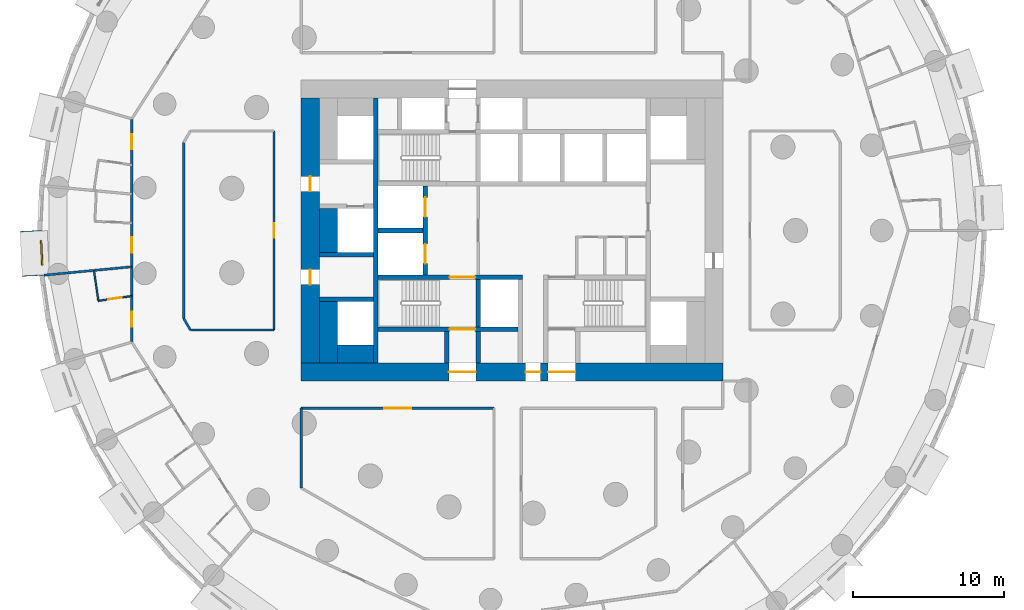
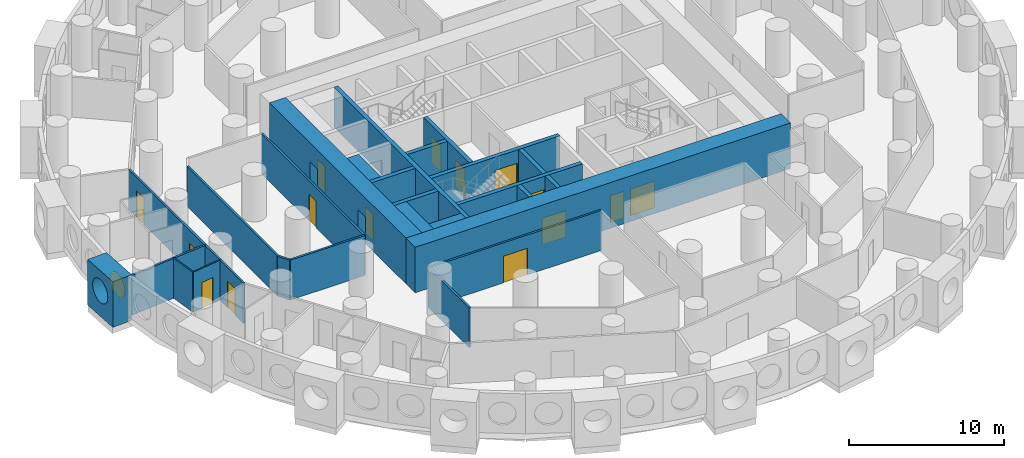
# One storey, part 4 of 12: 26 walls, 15 doors, 1 window, 16 openings.
"""IFC4 building model written with IfcOpenShell, lengths in metres."""

from ifc_helpers import new_model, si_unit, direction, frame, frame_2d, origin, origin_2d, place, context, subcontext, project, spatial, rectangle, circle, extrude, material, layer, layer_set, type_object, element, fill, save


model = new_model("IFC4")

# Units and contexts
model_context = context("Model", 3, precision=1e-05, world=origin(), true_north=direction((0.0, 1.0)))
body_context = subcontext(model_context, "Body", "Model", "MODEL_VIEW")
ifc_project = project(units=[si_unit("LENGTHUNIT", "METRE"), si_unit("AREAUNIT", "SQUARE_METRE"), si_unit("VOLUMEUNIT", "CUBIC_METRE"), si_unit("PLANEANGLEUNIT", "RADIAN"), si_unit("MASSUNIT", "GRAM", prefix="KILO")], contexts=[model_context])

# Site, building, storey
site_placement = place(None, origin())
site = spatial("IfcSite", under=ifc_project, at=site_placement, CompositionType="ELEMENT")
building_placement = place(site_placement, origin())
building = spatial("IfcBuilding", under=site, at=building_placement, Name="Tracery Tower", CompositionType="ELEMENT")
storey_placement = place(building_placement, frame((0.0, 0.0, 28.199951171875)))
storey = spatial("IfcBuildingStorey", under=building, at=storey_placement, Name="L05", CompositionType="ELEMENT", Elevation=28.199951171875)

# Walls
ifc_material_1 = material(Name="Concrete C60/75", Category="concrete")
ifc_layer_1 = layer(ifc_material_1, 1.199951171875)
ifc_layer_set_1 = layer_set([ifc_layer_1], Name="Core strip wall 1200 C60")
wall_type_1 = type_object("IfcWallType", Name="Core strip wall 1200 C60", PredefinedType="SOLIDWALL", material=ifc_layer_set_1)
wall_1_placement = place(storey_placement, frame((-12.199951171875, -8.800048828125, 0.0), z_axis=(0.0, 0.0, 1.0), x_axis=(0.0, 1.0, 0.0)))
element("IfcWall", 1, at=wall_1_placement, inside=storey, type_object=wall_type_1, Name="L05 wing strip -1 -9.4", PredefinedType="SOLIDWALL", context=body_context, shape_type="SweptSolid", body=[
    extrude(rectangle(XDim=4.10009765625, YDim=1.199951171875, at=frame_2d((2.050048828125, 0.0))), origin(), (0.0, 0.0, 1.0), 3.150146484375),
])
wall_2_placement = place(storey_placement, frame((-12.199951171875, -1.449951171875, 0.0), z_axis=(0.0, 0.0, 1.0), x_axis=(0.0, 1.0, 0.0)))
element("IfcWall", 2, at=wall_2_placement, inside=storey, type_object=wall_type_1, Name="L05 wing strip -1 -1.6", PredefinedType="SOLIDWALL", context=body_context, shape_type="SweptSolid", body=[
    extrude(rectangle(XDim=2.89990234375, YDim=1.199951171875, at=frame_2d((1.449951171875, 0.0))), origin(), (0.0, 0.0, 1.0), 3.150146484375),
])
wall_3_placement = place(storey_placement, frame((-11.60009765625, -8.199951171875, 0.0), z_axis=(0.0, 0.0, 1.0), x_axis=(1.0, 0.0, 0.0)))
element("IfcWall", 3, at=wall_3_placement, inside=storey, type_object=wall_type_1, Name="L05 wing corner -1 -8.2", PredefinedType="SOLIDWALL", context=body_context, shape_type="SweptSolid", body=[
    extrude(rectangle(XDim=2.400146484375, YDim=1.199951171875, at=frame_2d((1.2001953125, 0.0))), origin(), (0.0, 0.0, 1.0), 3.150146484375),
])

# Wall, openings, doors
ifc_material_2 = material(Name="Concrete C60/75", Category="concrete")
ifc_layer_2 = layer(ifc_material_2, 1.199951171875)
ifc_layer_set_2 = layer_set([ifc_layer_2], Name="Core wall 1200 C60")
wall_type_2 = type_object("IfcWallType", Name="Core wall 1200 C60", PredefinedType="SOLIDWALL", material=ifc_layer_set_2)
wall_4_placement = place(storey_placement, frame((-14.0, -9.39990234375, 0.0), z_axis=(0.0, 0.0, 1.0), x_axis=(1.0, 0.0, 0.0)))
wall_4 = element("IfcWall", 4, at=wall_4_placement, inside=storey, type_object=wall_type_2, Name="L05 outer S", PredefinedType="SOLIDWALL", context=body_context, shape_type="SweptSolid", body=[
    extrude(rectangle(XDim=28.0, YDim=1.199951171875, at=frame_2d((14.0, 0.0))), origin(), (0.0, 0.0, 1.0), 3.60009765625),
])
opening_1_placement = place(wall_4_placement, frame((14.89990234375, 0.0, 0.0)))
opening_1 = element("IfcOpeningElement", 5, at=opening_1_placement, cuts=wall_4, Name="Opening KD16", PredefinedType="OPENING", context=body_context, shape_type="SweptSolid", body=[
    extrude(rectangle(XDim=1.0, YDim=2.10009765625, at=frame_2d((0.5, 1.050048828125))), frame((0.0, 0.60009765625, 0.0), z_axis=(0.0, -1.0, 0.0), x_axis=(1.0, 0.0, 0.0)), (0.0, 0.0, 1.0), 1.199951171875),
])
opening_2_placement = place(wall_4_placement, frame((9.800048828125, 0.0, 0.0)))
opening_2 = element("IfcOpeningElement", 6, at=opening_2_placement, cuts=wall_4, Name="Opening KD13", PredefinedType="OPENING", context=body_context, shape_type="SweptSolid", body=[
    extrude(rectangle(XDim=1.800048828125, YDim=2.10009765625, at=frame_2d((0.89990234375, 1.050048828125))), frame((0.0, 0.60009765625, 0.0), z_axis=(0.0, -1.0, 0.0), x_axis=(1.0, 0.0, 0.0)), (0.0, 0.0, 1.0), 1.199951171875),
])
opening_3_placement = place(wall_4_placement, frame((16.39990234375, 0.0, 0.0)))
opening_3 = element("IfcOpeningElement", 7, at=opening_3_placement, cuts=wall_4, Name="Opening KD13", PredefinedType="OPENING", context=body_context, shape_type="SweptSolid", body=[
    extrude(rectangle(XDim=1.800048828125, YDim=2.10009765625, at=frame_2d((0.89990234375, 1.050048828125))), frame((0.0, 0.60009765625, 0.0), z_axis=(0.0, -1.0, 0.0), x_axis=(1.0, 0.0, 0.0)), (0.0, 0.0, 1.0), 1.199951171875),
])
ifc_material_3 = material(Name="Steel fire door", Category="steel")
door_type_1 = type_object("IfcDoorType", Name="Core exit door 1000", OperationType="NOTDEFINED", PredefinedType="DOOR", material=ifc_material_3)
door_1_placement = place(opening_1_placement, origin())
door_1 = element("IfcDoor", 8, at=door_1_placement, inside=storey, type_object=door_type_1, Name="Core exit door", OperationType="SINGLE_SWING_LEFT", OverallHeight=2.10009765625, OverallWidth=1.0, PredefinedType="DOOR", context=body_context, shape_type="SweptSolid", body=[
    extrude(rectangle(XDim=1.0, YDim=2.10009765625, at=frame_2d((0.5, 1.050048828125))), frame((0.0, 0.02490234375, 0.0), z_axis=(0.0, -1.0, 0.0), x_axis=(1.0, 0.0, 0.0)), (0.0, 0.0, 1.0), 0.050048828125),
])
fill(opening_1, door_1)
ifc_material_4 = material(Name="Steel fire door", Category="steel")
door_type_2 = type_object("IfcDoorType", Name="Core exit door 1800 double", OperationType="NOTDEFINED", PredefinedType="DOOR", material=ifc_material_4)
door_2_placement = place(opening_2_placement, origin())
door_2 = element("IfcDoor", 9, at=door_2_placement, inside=storey, type_object=door_type_2, Name="Core exit door", OperationType="DOUBLE_DOOR_SINGLE_SWING", OverallHeight=2.10009765625, OverallWidth=1.800048828125, PredefinedType="DOOR", context=body_context, shape_type="SweptSolid", body=[
    extrude(rectangle(XDim=1.800048828125, YDim=2.10009765625, at=frame_2d((0.89990234375, 1.050048828125))), frame((0.0, 0.02490234375, 0.0), z_axis=(0.0, -1.0, 0.0), x_axis=(1.0, 0.0, 0.0)), (0.0, 0.0, 1.0), 0.050048828125),
])
fill(opening_2, door_2)
door_3_placement = place(opening_3_placement, origin())
door_3 = element("IfcDoor", 10, at=door_3_placement, inside=storey, type_object=door_type_2, Name="Core exit door", OperationType="DOUBLE_DOOR_SINGLE_SWING", OverallHeight=2.10009765625, OverallWidth=1.800048828125, PredefinedType="DOOR", context=body_context, shape_type="SweptSolid", body=[
    extrude(rectangle(XDim=1.800048828125, YDim=2.10009765625, at=frame_2d((0.89990234375, 1.050048828125))), frame((0.0, 0.02490234375, 0.0), z_axis=(0.0, -1.0, 0.0), x_axis=(1.0, 0.0, 0.0)), (0.0, 0.0, 1.0), 0.050048828125),
])
fill(opening_3, door_3)

wall_5_placement = place(storey_placement, frame((-13.39990234375, -8.800048828125, 0.0), z_axis=(0.0, 0.0, 1.0), x_axis=(0.0, 1.0, 0.0)))
wall_5 = element("IfcWall", 11, at=wall_5_placement, inside=storey, type_object=wall_type_2, Name="L05 outer W", PredefinedType="SOLIDWALL", context=body_context, shape_type="SweptSolid", body=[
    extrude(rectangle(XDim=17.60009765625, YDim=1.199951171875, at=frame_2d((8.800048828125, 0.0))), origin(), (0.0, 0.0, 1.0), 3.60009765625),
])
opening_4_placement = place(wall_5_placement, frame((5.199951171875, 0.0, 0.0)))
opening_4 = element("IfcOpeningElement", 12, at=opening_4_placement, cuts=wall_5, Name="Opening KD18", PredefinedType="OPENING", context=body_context, shape_type="SweptSolid", body=[
    extrude(rectangle(XDim=1.0, YDim=2.10009765625, at=frame_2d((0.5, 1.050048828125))), frame((0.0, 0.60009765625, 0.0), z_axis=(0.0, -1.0, 0.0), x_axis=(1.0, 0.0, 0.0)), (0.0, 0.0, 1.0), 1.199951171875),
])
opening_5_placement = place(wall_5_placement, frame((11.39990234375, 0.0, 0.0)))
opening_5 = element("IfcOpeningElement", 13, at=opening_5_placement, cuts=wall_5, Name="Opening KD18", PredefinedType="OPENING", context=body_context, shape_type="SweptSolid", body=[
    extrude(rectangle(XDim=1.0, YDim=2.10009765625, at=frame_2d((0.5, 1.050048828125))), frame((0.0, 0.60009765625, 0.0), z_axis=(0.0, -1.0, 0.0), x_axis=(1.0, 0.0, 0.0)), (0.0, 0.0, 1.0), 1.199951171875),
])
door_4_placement = place(opening_4_placement, origin())
door_4 = element("IfcDoor", 14, at=door_4_placement, inside=storey, type_object=door_type_1, Name="Core exit door", OperationType="DOUBLE_DOOR_SINGLE_SWING", OverallHeight=2.10009765625, OverallWidth=1.0, PredefinedType="DOOR", context=body_context, shape_type="SweptSolid", body=[
    extrude(rectangle(XDim=1.0, YDim=2.10009765625, at=frame_2d((0.5, 1.050048828125))), frame((0.0, 0.02490234375, 0.0), z_axis=(0.0, -1.0, 0.0), x_axis=(1.0, 0.0, 0.0)), (0.0, 0.0, 1.0), 0.050048828125),
])
fill(opening_4, door_4)
door_5_placement = place(opening_5_placement, origin())
door_5 = element("IfcDoor", 15, at=door_5_placement, inside=storey, type_object=door_type_1, Name="Core exit door", OperationType="DOUBLE_DOOR_SINGLE_SWING", OverallHeight=2.10009765625, OverallWidth=1.0, PredefinedType="DOOR", context=body_context, shape_type="SweptSolid", body=[
    extrude(rectangle(XDim=1.0, YDim=2.10009765625, at=frame_2d((0.5, 1.050048828125))), frame((0.0, 0.02490234375, 0.0), z_axis=(0.0, -1.0, 0.0), x_axis=(1.0, 0.0, 0.0)), (0.0, 0.0, 1.0), 0.050048828125),
])
fill(opening_5, door_5)

# Wall, opening, window
ifc_material_5 = material(Name="Precast concrete C50/60", Category="concrete")
ifc_layer_3 = layer(ifc_material_5, 1.449951171875)
ifc_layer_set_3 = layer_set([ifc_layer_3], Name="Deep-set bay unit 3000 x 3600, slab edge 450")
wall_type_3 = type_object("IfcWallType", Name="Deep-set bay unit 3000 x 3600, slab edge 450", PredefinedType="ELEMENTEDWALL", material=ifc_layer_set_3)
wall_6_placement = place(storey_placement, frame((-31.94921875, -0.020263671875, -0.449951171875), z_axis=(0.0, 0.0, 1.0), x_axis=(0.047607680889, -0.998866111509, 0.0)))
wall_6 = element("IfcWall", 16, at=wall_6_placement, inside=storey, type_object=wall_type_3, Name="Deep-set bay unit 34 at L05", PredefinedType="ELEMENTEDWALL", context=body_context, shape_type="SweptSolid", body=[
    extrude(rectangle(XDim=3.0, YDim=1.449951171875, at=frame_2d((1.5, 0.0))), origin(), (0.0, 0.0, 1.0), 3.60009765625),
])
opening_6_placement = place(wall_6_placement, frame((1.5, 0.0, 2.0)))
opening_6 = element("IfcOpeningElement", 17, at=opening_6_placement, cuts=wall_6, Name="Opening WN1", PredefinedType="OPENING", context=body_context, shape_type="SweptSolid", body=[
    extrude(circle(Radius=0.9000244140625, at=origin_2d()), frame((0.0, 0.73486328125, 0.0), z_axis=(0.0, -1.0, 0.0), x_axis=(1.0, 0.0, 0.0)), (0.0, 0.0, 1.0), 1.469970703125),
])
ifc_material_6 = material(Name="Aluminium frame with tinted double glazing", Category="aluminium")
window_type = type_object("IfcWindowType", Name="Round window 1800", PartitioningType="SINGLE_PANEL", PredefinedType="WINDOW", material=ifc_material_6)
window_placement = place(opening_6_placement, origin())
window = element("IfcWindow", 18, at=window_placement, inside=storey, type_object=window_type, Name="Round window 34 at L05", OverallHeight=1.800048828125, OverallWidth=1.800048828125, PartitioningType="SINGLE_PANEL", PredefinedType="WINDOW", context=body_context, shape_type="SweptSolid", body=[
    extrude(circle(Radius=0.9000244140625, at=origin_2d()), frame((0.0, 0.69482421875, 0.0), z_axis=(0.0, -1.0, 0.0), x_axis=(1.0, 0.0, 0.0)), (0.0, 0.0, 1.0), 0.10009765625),
])
fill(opening_6, window)

# Wall
ifc_material_7 = material(Name="Plasterboard on steel studs", Category="steel")
ifc_layer_4 = layer(ifc_material_7, 0.10009765625)
ifc_layer_set_4 = layer_set([ifc_layer_4], Name="Partition 100 wet wall")
wall_type_4 = type_object("IfcWallType", Name="Partition 100 wet wall", PredefinedType="PARTITIONING", material=ifc_layer_set_4)
wall_7_placement = place(storey_placement, frame((-27.761962890625, -2.65087890625, 0.0), z_axis=(0.0, 0.0, 1.0), x_axis=(0.142124766346, -0.989848751472, 0.0)))
element("IfcWall", 19, at=wall_7_placement, inside=storey, type_object=wall_type_4, Name="Wet wall RA1-100", PredefinedType="PARTITIONING", context=body_context, shape_type="SweptSolid", body=[
    extrude(rectangle(XDim=2.040771484375, YDim=0.10009765625, at=frame_2d((1.0205078125, 0.0))), origin(), (0.0, 0.0, 1.0), 3.150146484375),
])

# Wall, opening, door
wall_8_placement = place(storey_placement, frame((-27.471923828125, -4.6708984375, 0.0), z_axis=(0.0, 0.0, 1.0), x_axis=(0.989833725002, 0.142229381104, 0.0)))
wall_8 = element("IfcWall", 20, at=wall_8_placement, inside=storey, type_object=wall_type_4, Name="Wet wall RA1-101", PredefinedType="PARTITIONING", context=body_context, shape_type="SweptSolid", body=[
    extrude(rectangle(XDim=2.24169921875, YDim=0.10009765625, at=frame_2d((1.120849609375, 0.0))), origin(), (0.0, 0.0, 1.0), 3.150146484375),
])
opening_7_placement = place(wall_8_placement, frame((0.6708984375, 0.0, 0.0)))
opening_7 = element("IfcOpeningElement", 21, at=opening_7_placement, cuts=wall_8, Name="Opening RA1-37", PredefinedType="OPENING", context=body_context, shape_type="SweptSolid", body=[
    extrude(rectangle(XDim=0.89990234375, YDim=2.0400390625, at=frame_2d((0.449951171875, 1.02001953125))), frame((0.0, 0.050048828125, 0.0), z_axis=(0.0, -1.0, 0.0), x_axis=(1.0, 0.0, 0.0)), (0.0, 0.0, 1.0), 0.10009765625),
])
ifc_material_8 = material(Name="Timber door leaf", Category="wood")
door_type_3 = type_object("IfcDoorType", Name="Door en-suite 900", OperationType="NOTDEFINED", PredefinedType="DOOR", material=ifc_material_8)
door_6_placement = place(opening_7_placement, origin())
door_6 = element("IfcDoor", 22, at=door_6_placement, inside=storey, type_object=door_type_3, Name="En-suite door RA1-37", OperationType="SINGLE_SWING_RIGHT", OverallHeight=2.0400390625, OverallWidth=0.89990234375, PredefinedType="DOOR", context=body_context, shape_type="SweptSolid", body=[
    extrude(rectangle(XDim=0.89990234375, YDim=2.0400390625, at=frame_2d((0.449951171875, 1.02001953125))), frame((0.0, 0.02490234375, 0.0), z_axis=(0.0, -1.0, 0.0), x_axis=(1.0, 0.0, 0.0)), (0.0, 0.0, 1.0), 0.050048828125),
])
fill(opening_7, door_6)

# Wall
ifc_material_9 = material(Name="Plasterboard on steel studs", Category="steel")
ifc_layer_5 = layer(ifc_material_9, 0.14990234375)
ifc_layer_set_5 = layer_set([ifc_layer_5], Name="Partition 150 acoustic unit wall")
wall_type_5 = type_object("IfcWallType", Name="Partition 150 acoustic unit wall", PredefinedType="PARTITIONING", material=ifc_layer_set_5)
wall_9_placement = place(storey_placement, frame((-31.0830078125, -2.968017578125, 0.0), z_axis=(0.0, 0.0, 1.0), x_axis=(0.995456793999, 0.095214343879, 0.0)))
element("IfcWall", 23, at=wall_9_placement, inside=storey, type_object=wall_type_5, Name="Unit wall RA1-099", PredefinedType="PARTITIONING", context=body_context, shape_type="SweptSolid", body=[
    extrude(rectangle(XDim=5.8564453125, YDim=0.14990234375, at=frame_2d((2.92822265625, 0.0))), origin(), (0.0, 0.0, 1.0), 3.150146484375),
])

# Wall, opening, door
ifc_material_10 = material(Name="Plasterboard on steel studs", Category="steel")
ifc_layer_6 = layer(ifc_material_10, 0.14990234375)
ifc_layer_set_6 = layer_set([ifc_layer_6], Name="Partition 150 corridor wall")
wall_type_6 = type_object("IfcWallType", Name="Partition 150 corridor wall", PredefinedType="PARTITIONING", material=ifc_layer_set_6)
wall_10_placement = place(storey_placement, frame((-14.00390625, -11.800048828125, 0.0), z_axis=(0.0, 0.0, 1.0), x_axis=(1.0, 0.0, 0.0)))
wall_10 = element("IfcWall", 24, at=wall_10_placement, inside=storey, type_object=wall_type_6, Name="Corridor wall RA1-005", PredefinedType="PARTITIONING", context=body_context, shape_type="SweptSolid", body=[
    extrude(rectangle(XDim=12.81591796875, YDim=0.14990234375, at=frame_2d((6.407958984375, 0.0))), origin(), (0.0, 0.0, 1.0), 3.150146484375),
])
opening_8_placement = place(wall_10_placement, frame((5.508056640625, 0.0, 0.0)))
opening_8 = element("IfcOpeningElement", 25, at=opening_8_placement, cuts=wall_10, Name="Opening RA1-04", PredefinedType="OPENING", context=body_context, shape_type="SweptSolid", body=[
    extrude(rectangle(XDim=1.800048828125, YDim=2.10009765625, at=frame_2d((0.89990234375, 1.050048828125))), frame((0.0, 0.074951171875, 0.0), z_axis=(0.0, -1.0, 0.0), x_axis=(1.0, 0.0, 0.0)), (0.0, 0.0, 1.0), 0.14990234375),
])
ifc_material_11 = material(Name="Timber door leaf", Category="wood")
door_type_4 = type_object("IfcDoorType", Name="Door double lounge 1800", OperationType="NOTDEFINED", PredefinedType="DOOR", material=ifc_material_11)
door_7_placement = place(opening_8_placement, origin())
door_7 = element("IfcDoor", 26, at=door_7_placement, inside=storey, type_object=door_type_4, Name="Double lounge door RA1-04", OperationType="DOUBLE_DOOR_SINGLE_SWING", OverallHeight=2.10009765625, OverallWidth=1.800048828125, PredefinedType="DOOR", context=body_context, shape_type="SweptSolid", body=[
    extrude(rectangle(XDim=1.800048828125, YDim=2.10009765625, at=frame_2d((0.89990234375, 1.050048828125))), frame((0.0, 0.02490234375, 0.0), z_axis=(0.0, -1.0, 0.0), x_axis=(1.0, 0.0, 0.0)), (0.0, 0.0, 1.0), 0.050048828125),
])
fill(opening_8, door_7)

wall_11_placement = place(storey_placement, frame((-15.800048828125, -6.60400390625, 0.0), z_axis=(0.0, 0.0, 1.0), x_axis=(0.0, 1.0, 0.0)))
wall_11 = element("IfcWall", 27, at=wall_11_placement, inside=storey, type_object=wall_type_6, Name="Corridor wall RA1-012", PredefinedType="PARTITIONING", context=body_context, shape_type="SweptSolid", body=[
    extrude(rectangle(XDim=13.2080078125, YDim=0.14990234375, at=frame_2d((6.60400390625, 0.0))), origin(), (0.0, 0.0, 1.0), 3.150146484375),
])
opening_9_placement = place(wall_11_placement, frame((6.12890625, 0.0, 0.0)))
opening_9 = element("IfcOpeningElement", 28, at=opening_9_placement, cuts=wall_11, Name="Opening RA1-08", PredefinedType="OPENING", context=body_context, shape_type="SweptSolid", body=[
    extrude(rectangle(XDim=0.949951171875, YDim=2.10009765625, at=frame_2d((0.47509765625, 1.050048828125))), frame((0.0, 0.074951171875, 0.0), z_axis=(0.0, -1.0, 0.0), x_axis=(1.0, 0.0, 0.0)), (0.0, 0.0, 1.0), 0.14990234375),
])
ifc_material_12 = material(Name="Timber door leaf", Category="wood")
door_type_5 = type_object("IfcDoorType", Name="Door store 950", OperationType="NOTDEFINED", PredefinedType="DOOR", material=ifc_material_12)
door_8_placement = place(opening_9_placement, origin())
door_8 = element("IfcDoor", 29, at=door_8_placement, inside=storey, type_object=door_type_5, Name="Store door RA1-08", OperationType="SINGLE_SWING_LEFT", OverallHeight=2.10009765625, OverallWidth=0.949951171875, PredefinedType="DOOR", context=body_context, shape_type="SweptSolid", body=[
    extrude(rectangle(XDim=0.949951171875, YDim=2.10009765625, at=frame_2d((0.47509765625, 1.050048828125))), frame((0.0, 0.02490234375, 0.0), z_axis=(0.0, -1.0, 0.0), x_axis=(1.0, 0.0, 0.0)), (0.0, 0.0, 1.0), 0.050048828125),
])
fill(opening_9, door_8)

# Walls
wall_12_placement = place(storey_placement, frame((-14.0, -17.092041015625, 0.0), z_axis=(0.0, 0.0, 1.0), x_axis=(0.0, 1.0, 0.0)))
element("IfcWall", 30, at=wall_12_placement, inside=storey, type_object=wall_type_6, Name="Corridor wall RA1-037", PredefinedType="PARTITIONING", context=body_context, shape_type="SweptSolid", body=[
    extrude(rectangle(XDim=5.2919921875, YDim=0.14990234375, at=frame_2d((2.64599609375, 0.0))), origin(), (0.0, 0.0, 1.0), 3.150146484375),
])
wall_13_placement = place(storey_placement, frame((-21.802001953125, -5.842041015625, 0.0), z_axis=(0.0, 0.0, 1.0), x_axis=(0.0, 1.0, 0.0)))
element("IfcWall", 31, at=wall_13_placement, inside=storey, type_object=wall_type_6, Name="Corridor wall RA1-040", PredefinedType="PARTITIONING", context=body_context, shape_type="SweptSolid", body=[
    extrude(rectangle(XDim=11.68408203125, YDim=0.14990234375, at=frame_2d((5.842041015625, 0.0))), origin(), (0.0, 0.0, 1.0), 3.150146484375),
])
wall_14_placement = place(storey_placement, frame((-21.802001953125, -5.842041015625, 0.0), z_axis=(0.0, 0.0, 1.0), x_axis=(0.500277597875, -0.865865073245, 0.0)))
element("IfcWall", 32, at=wall_14_placement, inside=storey, type_object=wall_type_6, Name="Corridor wall RA1-041", PredefinedType="PARTITIONING", context=body_context, shape_type="SweptSolid", body=[
    extrude(rectangle(XDim=0.87548828125, YDim=0.14990234375, at=frame_2d((0.437744140625, 0.0))), origin(), (0.0, 0.0, 1.0), 3.150146484375),
])
wall_15_placement = place(storey_placement, frame((-21.364013671875, -6.60009765625, 0.0), z_axis=(0.0, 0.0, 1.0), x_axis=(1.0, 0.0, 0.0)))
element("IfcWall", 33, at=wall_15_placement, inside=storey, type_object=wall_type_6, Name="Corridor wall RA1-042", PredefinedType="PARTITIONING", context=body_context, shape_type="SweptSolid", body=[
    extrude(rectangle(XDim=5.56396484375, YDim=0.14990234375, at=frame_2d((2.781982421875, 0.0))), origin(), (0.0, 0.0, 1.0), 3.150146484375),
])

# Wall, openings, doors
wall_16_placement = place(storey_placement, frame((-25.2529296875, -7.4150390625, 0.0), z_axis=(0.0, 0.0, 1.0), x_axis=(0.0, 1.0, 0.0)))
wall_16 = element("IfcWall", 34, at=wall_16_placement, inside=storey, type_object=wall_type_6, Name="Corridor wall RA1-044", PredefinedType="PARTITIONING", context=body_context, shape_type="SweptSolid", body=[
    extrude(rectangle(XDim=14.830078125, YDim=0.14990234375, at=frame_2d((7.4150390625, 0.0))), origin(), (0.0, 0.0, 1.0), 3.150146484375),
])
opening_10_placement = place(wall_16_placement, frame((12.797119140625, 0.0, 0.0)))
opening_10 = element("IfcOpeningElement", 35, at=opening_10_placement, cuts=wall_16, Name="Opening RA1-34", PredefinedType="OPENING", context=body_context, shape_type="SweptSolid", body=[
    extrude(rectangle(XDim=1.0, YDim=2.10009765625, at=frame_2d((0.5, 1.050048828125))), frame((0.0, 0.074951171875, 0.0), z_axis=(0.0, -1.0, 0.0), x_axis=(1.0, 0.0, 0.0)), (0.0, 0.0, 1.0), 0.14990234375),
])
opening_11_placement = place(wall_16_placement, frame((5.9541015625, 0.0, 0.0)))
opening_11 = element("IfcOpeningElement", 36, at=opening_11_placement, cuts=wall_16, Name="Opening RA1-36", PredefinedType="OPENING", context=body_context, shape_type="SweptSolid", body=[
    extrude(rectangle(XDim=1.0, YDim=2.10009765625, at=frame_2d((0.5, 1.050048828125))), frame((0.0, 0.074951171875, 0.0), z_axis=(0.0, -1.0, 0.0), x_axis=(1.0, 0.0, 0.0)), (0.0, 0.0, 1.0), 0.14990234375),
])
opening_12_placement = place(wall_16_placement, frame((1.033935546875, 0.0, 0.0)))
opening_12 = element("IfcOpeningElement", 37, at=opening_12_placement, cuts=wall_16, Name="Opening RA1-38", PredefinedType="OPENING", context=body_context, shape_type="SweptSolid", body=[
    extrude(rectangle(XDim=1.0, YDim=2.10009765625, at=frame_2d((0.5, 1.050048828125))), frame((0.0, 0.074951171875, 0.0), z_axis=(0.0, -1.0, 0.0), x_axis=(1.0, 0.0, 0.0)), (0.0, 0.0, 1.0), 0.14990234375),
])
ifc_material_13 = material(Name="Timber door leaf", Category="wood")
door_type_6 = type_object("IfcDoorType", Name="Door unit entrance 1000", OperationType="NOTDEFINED", PredefinedType="DOOR", material=ifc_material_13)
door_9_placement = place(opening_10_placement, origin())
door_9 = element("IfcDoor", 38, at=door_9_placement, inside=storey, type_object=door_type_6, Name="Unit entrance door RA1-34", OperationType="SINGLE_SWING_RIGHT", OverallHeight=2.10009765625, OverallWidth=1.0, PredefinedType="DOOR", context=body_context, shape_type="SweptSolid", body=[
    extrude(rectangle(XDim=1.0, YDim=2.10009765625, at=frame_2d((0.5, 1.050048828125))), frame((0.0, 0.02490234375, 0.0), z_axis=(0.0, -1.0, 0.0), x_axis=(1.0, 0.0, 0.0)), (0.0, 0.0, 1.0), 0.050048828125),
])
fill(opening_10, door_9)
door_10_placement = place(opening_11_placement, origin())
door_10 = element("IfcDoor", 39, at=door_10_placement, inside=storey, type_object=door_type_6, Name="Unit entrance door RA1-36", OperationType="SINGLE_SWING_RIGHT", OverallHeight=2.10009765625, OverallWidth=1.0, PredefinedType="DOOR", context=body_context, shape_type="SweptSolid", body=[
    extrude(rectangle(XDim=1.0, YDim=2.10009765625, at=frame_2d((0.5, 1.050048828125))), frame((0.0, 0.02490234375, 0.0), z_axis=(0.0, -1.0, 0.0), x_axis=(1.0, 0.0, 0.0)), (0.0, 0.0, 1.0), 0.050048828125),
])
fill(opening_11, door_10)
door_11_placement = place(opening_12_placement, origin())
door_11 = element("IfcDoor", 40, at=door_11_placement, inside=storey, type_object=door_type_6, Name="Unit entrance door RA1-38", OperationType="SINGLE_SWING_RIGHT", OverallHeight=2.10009765625, OverallWidth=1.0, PredefinedType="DOOR", context=body_context, shape_type="SweptSolid", body=[
    extrude(rectangle(XDim=1.0, YDim=2.10009765625, at=frame_2d((0.5, 1.050048828125))), frame((0.0, 0.02490234375, 0.0), z_axis=(0.0, -1.0, 0.0), x_axis=(1.0, 0.0, 0.0)), (0.0, 0.0, 1.0), 0.050048828125),
])
fill(opening_12, door_11)

# Wall
ifc_material_14 = material(Name="Concrete C60/75", Category="concrete")
ifc_layer_7 = layer(ifc_material_14, 0.300048828125)
ifc_layer_set_7 = layer_set([ifc_layer_7], Name="Shaft wall 300 C60")
wall_type_7 = type_object("IfcWallType", Name="Shaft wall 300 C60", PredefinedType="SOLIDWALL", material=ifc_layer_set_7)
wall_17_placement = place(storey_placement, frame((-8.89990234375, 0.0, 0.0), z_axis=(0.0, 0.0, 1.0), x_axis=(1.0, 0.0, 0.0)))
element("IfcWall", 41, at=wall_17_placement, inside=storey, type_object=wall_type_7, Name="L05 FF split", PredefinedType="SOLIDWALL", context=body_context, shape_type="SweptSolid", body=[
    extrude(rectangle(XDim=3.0, YDim=0.300048828125, at=frame_2d((1.5, 0.0))), origin(), (0.0, 0.0, 1.0), 3.150146484375),
])

# Wall, openings, doors
wall_18_placement = place(storey_placement, frame((-5.75, -2.949951171875, 0.0), z_axis=(0.0, 0.0, 1.0), x_axis=(0.0, 1.0, 0.0)))
wall_18 = element("IfcWall", 42, at=wall_18_placement, inside=storey, type_object=wall_type_7, Name="L05 FF doors", PredefinedType="SOLIDWALL", context=body_context, shape_type="SweptSolid", body=[
    extrude(rectangle(XDim=5.89990234375, YDim=0.300048828125, at=frame_2d((2.949951171875, 0.0))), origin(), (0.0, 0.0, 1.0), 3.150146484375),
])
opening_13_placement = place(wall_18_placement, frame((0.75, 0.0, 0.0)))
opening_13 = element("IfcOpeningElement", 43, at=opening_13_placement, cuts=wall_18, Name="Opening KD54", PredefinedType="OPENING", context=body_context, shape_type="SweptSolid", body=[
    extrude(rectangle(XDim=1.300048828125, YDim=2.10009765625, at=frame_2d((0.64990234375, 1.050048828125))), frame((0.0, 0.14990234375, 0.0), z_axis=(0.0, -1.0, 0.0), x_axis=(1.0, 0.0, 0.0)), (0.0, 0.0, 1.0), 0.300048828125),
])
opening_14_placement = place(wall_18_placement, frame((3.85009765625, 0.0, 0.0)))
opening_14 = element("IfcOpeningElement", 44, at=opening_14_placement, cuts=wall_18, Name="Opening KD55", PredefinedType="OPENING", context=body_context, shape_type="SweptSolid", body=[
    extrude(rectangle(XDim=1.300048828125, YDim=2.10009765625, at=frame_2d((0.64990234375, 1.050048828125))), frame((0.0, 0.14990234375, 0.0), z_axis=(0.0, -1.0, 0.0), x_axis=(1.0, 0.0, 0.0)), (0.0, 0.0, 1.0), 0.300048828125),
])
ifc_material_15 = material(Name="Steel fire door", Category="steel")
door_type_7 = type_object("IfcDoorType", Name="Landing door FF 1300", OperationType="NOTDEFINED", PredefinedType="DOOR", material=ifc_material_15)
door_12_placement = place(opening_13_placement, origin())
door_12 = element("IfcDoor", 45, at=door_12_placement, inside=storey, type_object=door_type_7, Name="Landing door FF1", OperationType="SLIDING_TO_LEFT", OverallHeight=2.10009765625, OverallWidth=1.300048828125, PredefinedType="DOOR", context=body_context, shape_type="SweptSolid", body=[
    extrude(rectangle(XDim=1.300048828125, YDim=2.10009765625, at=frame_2d((0.64990234375, 1.050048828125))), frame((0.0, 0.02490234375, 0.0), z_axis=(0.0, -1.0, 0.0), x_axis=(1.0, 0.0, 0.0)), (0.0, 0.0, 1.0), 0.050048828125),
])
fill(opening_13, door_12)
door_13_placement = place(opening_14_placement, origin())
door_13 = element("IfcDoor", 46, at=door_13_placement, inside=storey, type_object=door_type_7, Name="Landing door FF2", OperationType="SLIDING_TO_RIGHT", OverallHeight=2.10009765625, OverallWidth=1.300048828125, PredefinedType="DOOR", context=body_context, shape_type="SweptSolid", body=[
    extrude(rectangle(XDim=1.300048828125, YDim=2.10009765625, at=frame_2d((0.64990234375, 1.050048828125))), frame((0.0, 0.02490234375, 0.0), z_axis=(0.0, -1.0, 0.0), x_axis=(1.0, 0.0, 0.0)), (0.0, 0.0, 1.0), 0.050048828125),
])
fill(opening_14, door_13)

# Walls
wall_19_placement = place(storey_placement, frame((-4.35009765625, -8.800048828125, 0.0), z_axis=(0.0, 0.0, 1.0), x_axis=(0.0, 1.0, 0.0)))
element("IfcWall", 47, at=wall_19_placement, inside=storey, type_object=wall_type_7, Name="L05 band S -4.35", PredefinedType="SOLIDWALL", context=body_context, shape_type="SweptSolid", body=[
    extrude(rectangle(XDim=2.10009765625, YDim=0.300048828125, at=frame_2d((1.050048828125, 0.0))), origin(), (0.0, 0.0, 1.0), 3.150146484375),
])
for number, where, z_axis, x_axis, name in (
    (48, (-12.800048828125, -4.550048828125, 0.0), (0.0, 0.0, 1.0), (1.0, 0.0, 0.0), "L05 wing shaft wall -1 -4.55"),
    (49, (-12.800048828125, -1.60009765625, 0.0), (0.0, 0.0, 1.0), (1.0, 0.0, 0.0), "L05 wing shaft wall -1 -1.60"),
):
    element("IfcWall", number, at=place(storey_placement, frame(where, z_axis=z_axis, x_axis=x_axis)), inside=storey, type_object=wall_type_7, Name=name, PredefinedType="SOLIDWALL", context=body_context, shape_type="SweptSolid", body=[
        extrude(rectangle(XDim=3.60009765625, YDim=0.300048828125, at=frame_2d((1.800048828125, 0.0))), origin(), (0.0, 0.0, 1.0), 3.150146484375),
    ])

# Wall, opening, door
ifc_material_16 = material(Name="Concrete C60/75", Category="concrete")
ifc_layer_8 = layer(ifc_material_16, 0.300048828125)
ifc_layer_set_8 = layer_set([ifc_layer_8], Name="Stair wall 300 C60")
wall_type_8 = type_object("IfcWallType", Name="Stair wall 300 C60", PredefinedType="SOLIDWALL", material=ifc_layer_set_8)
wall_20_placement = place(storey_placement, frame((-8.89990234375, -3.10009765625, 0.0), z_axis=(0.0, 0.0, 1.0), x_axis=(1.0, 0.0, 0.0)))
wall_20 = element("IfcWall", 50, at=wall_20_placement, inside=storey, type_object=wall_type_8, Name="L05 row S", PredefinedType="SOLIDWALL", context=body_context, shape_type="SweptSolid", body=[
    extrude(rectangle(XDim=9.599853515625, YDim=0.300048828125, at=frame_2d((4.7998046875, 0.0))), origin(), (0.0, 0.0, 1.0), 3.150146484375),
])
opening_15_placement = place(wall_20_placement, frame((4.75, 0.0, 0.0)))
opening_15 = element("IfcOpeningElement", 51, at=opening_15_placement, cuts=wall_20, Name="Opening KD3", PredefinedType="OPENING", context=body_context, shape_type="SweptSolid", body=[
    extrude(rectangle(XDim=1.699951171875, YDim=2.10009765625, at=frame_2d((0.85009765625, 1.050048828125))), frame((0.0, 0.14990234375, 0.0), z_axis=(0.0, -1.0, 0.0), x_axis=(1.0, 0.0, 0.0)), (0.0, 0.0, 1.0), 0.300048828125),
])
ifc_material_17 = material(Name="Steel fire door", Category="steel")
door_type_8 = type_object("IfcDoorType", Name="Core stair door 1700 double", OperationType="NOTDEFINED", PredefinedType="DOOR", material=ifc_material_17)
door_14_placement = place(opening_15_placement, origin())
door_14 = element("IfcDoor", 52, at=door_14_placement, inside=storey, type_object=door_type_8, Name="Stair door ST1", OperationType="DOUBLE_DOOR_SINGLE_SWING", OverallHeight=2.10009765625, OverallWidth=1.699951171875, PredefinedType="DOOR", context=body_context, shape_type="SweptSolid", body=[
    extrude(rectangle(XDim=1.699951171875, YDim=2.10009765625, at=frame_2d((0.85009765625, 1.050048828125))), frame((0.0, 0.02490234375, 0.0), z_axis=(0.0, -1.0, 0.0), x_axis=(1.0, 0.0, 0.0)), (0.0, 0.0, 1.0), 0.050048828125),
])
fill(opening_15, door_14)

# Walls
wall_21_placement = place(storey_placement, frame((-2.25, -6.39990234375, 0.0), z_axis=(0.0, 0.0, 1.0), x_axis=(0.0, 1.0, 0.0)))
element("IfcWall", 53, at=wall_21_placement, inside=storey, type_object=wall_type_8, Name="L05 ST1 E", PredefinedType="SOLIDWALL", context=body_context, shape_type="SweptSolid", body=[
    extrude(rectangle(XDim=3.14990234375, YDim=0.300048828125, at=frame_2d((1.574951171875, 0.0))), origin(), (0.0, 0.0, 1.0), 3.150146484375),
])
wall_22_placement = place(storey_placement, frame((-9.050048828125, -8.800048828125, 0.0), z_axis=(0.0, 0.0, 1.0), x_axis=(0.0, 1.0, 0.0)))
element("IfcWall", 54, at=wall_22_placement, inside=storey, type_object=wall_type_8, Name="L05 F wall -9", PredefinedType="SOLIDWALL", context=body_context, shape_type="SweptSolid", body=[
    extrude(rectangle(XDim=17.60009765625, YDim=0.300048828125, at=frame_2d((8.800048828125, 0.0))), origin(), (0.0, 0.0, 1.0), 3.150146484375),
])

# Wall, opening, door
wall_23_placement = place(storey_placement, frame((-8.89990234375, -6.550048828125, 0.0), z_axis=(0.0, 0.0, 1.0), x_axis=(1.0, 0.0, 0.0)))
wall_23 = element("IfcWall", 55, at=wall_23_placement, inside=storey, type_object=wall_type_8, Name="L05 F S W", PredefinedType="SOLIDWALL", context=body_context, shape_type="SweptSolid", body=[
    extrude(rectangle(XDim=9.2998046875, YDim=0.300048828125, at=frame_2d((4.64990234375, 0.0))), origin(), (0.0, 0.0, 1.0), 3.150146484375),
])
opening_16_placement = place(wall_23_placement, frame((4.75, 0.0, 0.0)))
opening_16 = element("IfcOpeningElement", 56, at=opening_16_placement, cuts=wall_23, Name="Opening KD3", PredefinedType="OPENING", context=body_context, shape_type="SweptSolid", body=[
    extrude(rectangle(XDim=1.699951171875, YDim=2.10009765625, at=frame_2d((0.85009765625, 1.050048828125))), frame((0.0, 0.14990234375, 0.0), z_axis=(0.0, -1.0, 0.0), x_axis=(1.0, 0.0, 0.0)), (0.0, 0.0, 1.0), 0.300048828125),
])
door_15_placement = place(opening_16_placement, origin())
door_15 = element("IfcDoor", 57, at=door_15_placement, inside=storey, type_object=door_type_8, Name="Stair door ST1 S", OperationType="DOUBLE_DOOR_SINGLE_SWING", OverallHeight=2.10009765625, OverallWidth=1.699951171875, PredefinedType="DOOR", context=body_context, shape_type="SweptSolid", body=[
    extrude(rectangle(XDim=1.699951171875, YDim=2.10009765625, at=frame_2d((0.85009765625, 1.050048828125))), frame((0.0, 0.02490234375, 0.0), z_axis=(0.0, -1.0, 0.0), x_axis=(1.0, 0.0, 0.0)), (0.0, 0.0, 1.0), 0.050048828125),
])
fill(opening_16, door_15)

# Wall
wall_24_placement = place(storey_placement, frame((-2.25, -8.800048828125, 0.0), z_axis=(0.0, 0.0, 1.0), x_axis=(0.0, 1.0, 0.0)))
element("IfcWall", 58, at=wall_24_placement, inside=storey, type_object=wall_type_8, Name="L05 ST1 E out", PredefinedType="SOLIDWALL", context=body_context, shape_type="SweptSolid", body=[
    extrude(rectangle(XDim=2.10009765625, YDim=0.300048828125, at=frame_2d((1.050048828125, 0.0))), origin(), (0.0, 0.0, 1.0), 3.150146484375),
])

save(model, "model.ifc")
